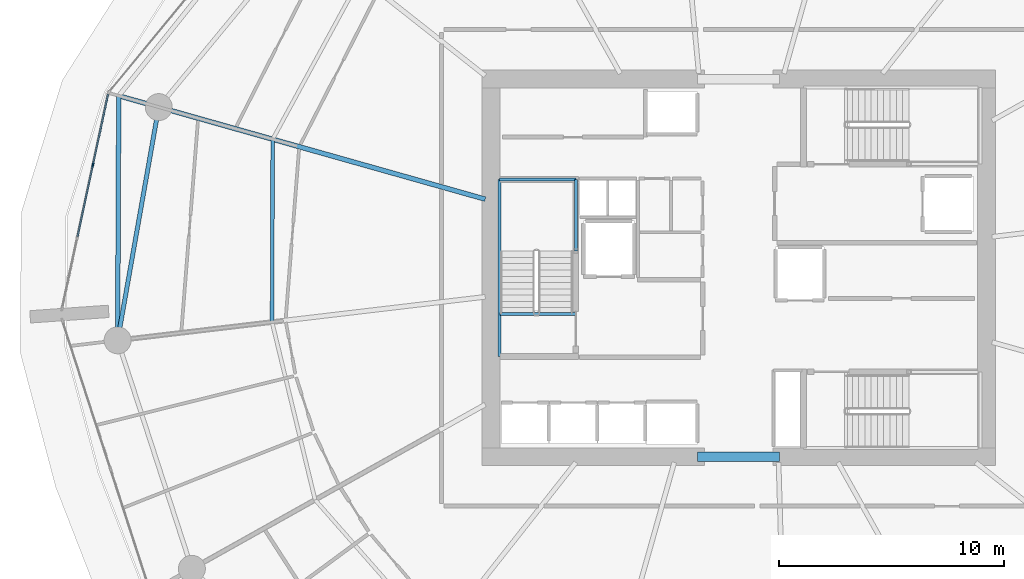
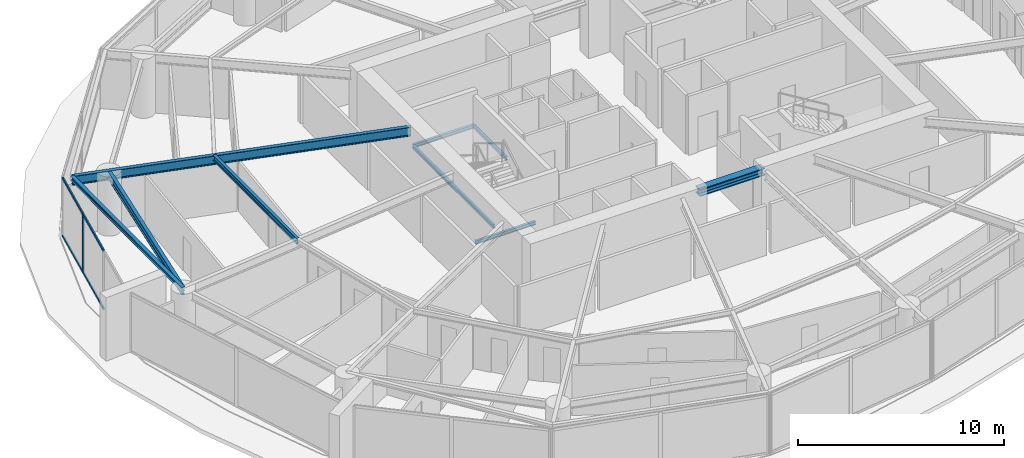
# One storey, part 6 of 17: 9 beams, 5 members, 1 element without a shape of its own.
"""IFC4 building model written with IfcOpenShell, lengths in metres."""

from ifc_helpers import new_model, si_unit, direction, frame, origin, origin_2d, place, context, subcontext, project, spatial, rectangle, i_section, extrude, material, layer, layer_set, material_profile, profile_set, type_object, element, aggregate, save


model = new_model("IFC4")

# Units and contexts
model_context = context("Model", 3, precision=1e-05, world=origin(), true_north=direction((0.0, 1.0)))
body_context = subcontext(model_context, "Body", "Model", "MODEL_VIEW")
ifc_project = project(units=[si_unit("LENGTHUNIT", "METRE"), si_unit("AREAUNIT", "SQUARE_METRE"), si_unit("VOLUMEUNIT", "CUBIC_METRE"), si_unit("PLANEANGLEUNIT", "RADIAN"), si_unit("MASSUNIT", "GRAM", prefix="KILO")], contexts=[model_context])

# Site, building, storey
site_placement = place(None, origin())
site = spatial("IfcSite", under=ifc_project, at=site_placement, CompositionType="ELEMENT")
building_placement = place(site_placement, origin())
building = spatial("IfcBuilding", under=site, at=building_placement, Name="Kazma Halo Residences", CompositionType="ELEMENT")
storey_placement = place(building_placement, frame((0.0, 0.0, 75.14990234375)))
storey = spatial("IfcBuildingStorey", under=building, at=storey_placement, Name="L18", CompositionType="ELEMENT", Elevation=75.14990234375)

# Beams
ifc_material_1 = material(Name="Steel S355", Category="steel")
ifc_material_profile_1 = material_profile(ifc_material_1, i_section(OverallWidth=0.201904296875, OverallDepth=0.2470703125, WebThickness=0.00732421875, FlangeThickness=0.010986328125, FilletRadius=0.011962890625, at=origin_2d()), Name="W250x49.1")
ifc_profile_set_1 = profile_set([ifc_material_profile_1], Name="Steel S355")
beam_type_1 = type_object("IfcBeamType", Name="BM-BAL-CANT", PredefinedType="BEAM", material=ifc_profile_set_1)
beam_1_placement = place(storey_placement, frame((20.8427734375, 49.6591796875, 3.376708984375), z_axis=(-0.004532963616, -0.999989726068, 0.0), x_axis=(0.999989726068, -0.004532963616, 0.0)))
element("IfcBeam", 1, at=beam_1_placement, inside=storey, type_object=beam_type_1, Name="L18 wave-balcony tie beam 07", PredefinedType="BEAM", context=body_context, shape_type="SweptSolid", body=[
    extrude(i_section(OverallWidth=0.201904296875, OverallDepth=0.2470703125, WebThickness=0.00732421875, FlangeThickness=0.010986328125, FilletRadius=0.011962890625, at=origin_2d()), origin(), (0.0, 0.0, 1.0), 10.87939453125),
])
ifc_material_profile_2 = material_profile(ifc_material_1, i_section(OverallWidth=0.408935546875, OverallDepth=0.425048828125, WebThickness=0.03271484375, FlangeThickness=0.052490234375, FilletRadius=0.02001953125, at=origin_2d()), Name="W360x421")
ifc_profile_set_2 = profile_set([ifc_material_profile_2], Name="Steel S355")
beam_type_2 = type_object("IfcBeamType", Name="BM-CORE-W360H", PredefinedType="BEAM", material=ifc_profile_set_2)
beam_2_placement = place(storey_placement, frame((46.60009765625, 33.60009765625, 3.28759765625), z_axis=(1.0, 0.0, 0.0), x_axis=(0.0, 1.0, 0.0)))
element("IfcBeam", 2, at=beam_2_placement, inside=storey, type_object=beam_type_2, Name="L18 core coupling beam S", PredefinedType="BEAM", context=body_context, shape_type="SweptSolid", body=[
    extrude(i_section(OverallWidth=0.408935546875, OverallDepth=0.425048828125, WebThickness=0.03271484375, FlangeThickness=0.052490234375, FilletRadius=0.02001953125, at=origin_2d()), origin(), (0.0, 0.0, 1.0), 3.64990234375),
])
ifc_material_profile_3 = material_profile(ifc_material_1, i_section(OverallWidth=0.208984375, OverallDepth=0.532958984375, WebThickness=0.01025390625, FlangeThickness=0.015625, FilletRadius=0.01611328125, at=origin_2d()), Name="W530x92")
ifc_profile_set_3 = profile_set([ifc_material_profile_3], Name="Steel S355")
beam_type_3 = type_object("IfcBeamType", Name="BM-RAD-W530", PredefinedType="BEAM", material=ifc_profile_set_3)
beam_3_placement = place(storey_placement, frame((37.14990234375, 45.06005859375, 3.233642578125), z_axis=(-0.962454695383, 0.271442368351, 0.0), x_axis=(-0.271442368351, -0.962454695383, 0.0)))
element("IfcBeam", 3, at=beam_3_placement, inside=storey, type_object=beam_type_3, Name="L18 radial floor beam 07", PredefinedType="BEAM", context=body_context, shape_type="SweptSolid", body=[
    extrude(i_section(OverallWidth=0.208984375, OverallDepth=0.532958984375, WebThickness=0.01025390625, FlangeThickness=0.015625, FilletRadius=0.01611328125, at=origin_2d()), origin(), (0.0, 0.0, 1.0), 16.943359375),
])
ifc_material_profile_4 = material_profile(ifc_material_1, i_section(OverallWidth=0.1650390625, OverallDepth=0.31005859375, WebThickness=0.005859375, FlangeThickness=0.009765625, FilletRadius=0.011962890625, at=origin_2d()), Name="W310x38.7")
ifc_profile_set_4 = profile_set([ifc_material_profile_4], Name="Steel S355")
beam_type_4 = type_object("IfcBeamType", Name="BM-SEC-W310B", PredefinedType="JOIST", material=ifc_profile_set_4)
beam_4_placement = place(storey_placement, frame((27.69189453125, 47.7275390625, 3.34521484375), z_axis=(-0.003541500645, -0.999993728867, 0.0), x_axis=(0.999993728867, -0.003541500645, 0.0)))
element("IfcBeam", 4, at=beam_4_placement, inside=storey, type_object=beam_type_4, Name="L18 circumferential floor joist 07", PredefinedType="JOIST", context=body_context, shape_type="SweptSolid", body=[
    extrude(i_section(OverallWidth=0.1650390625, OverallDepth=0.31005859375, WebThickness=0.005859375, FlangeThickness=0.009765625, FilletRadius=0.011962890625, at=origin_2d()), origin(), (0.0, 0.0, 1.0), 8.134521484375),
])
ifc_material_profile_5 = material_profile(ifc_material_1, i_section(OverallWidth=0.18994140625, OverallDepth=0.45703125, WebThickness=0.009033203125, FlangeThickness=0.014404296875, FilletRadius=0.01611328125, at=origin_2d()), Name="W460x74")
ifc_profile_set_5 = profile_set([ifc_material_profile_5], Name="Steel S355")
beam_type_5 = type_object("IfcBeamType", Name="BM-SPN-W460", PredefinedType="BEAM", material=ifc_profile_set_5)
beam_5_placement = place(storey_placement, frame((22.623291015625, 49.156982421875, 3.271484375), z_axis=(-0.173653159051, -0.984806874647, 0.0), x_axis=(0.984806874647, -0.173653159051, 0.0)))
element("IfcBeam", 5, at=beam_5_placement, inside=storey, type_object=beam_type_5, Name="L18 perimeter ring beam 07", PredefinedType="BEAM", context=body_context, shape_type="SweptSolid", body=[
    extrude(i_section(OverallWidth=0.18994140625, OverallDepth=0.45703125, WebThickness=0.009033203125, FlangeThickness=0.014404296875, FilletRadius=0.01611328125, at=origin_2d()), origin(), (0.0, 0.0, 1.0), 10.537353515625),
])
ifc_material_profile_6 = material_profile(ifc_material_1, i_section(OverallWidth=0.133056640625, OverallDepth=0.20703125, WebThickness=0.005859375, FlangeThickness=0.00830078125, FilletRadius=0.010009765625, at=origin_2d()), Name="W200x26.6")
ifc_profile_set_6 = profile_set([ifc_material_profile_6], Name="Steel S355")
beam_type_6 = type_object("IfcBeamType", Name="BM-TRIM-W200", PredefinedType="BEAM", material=ifc_profile_set_6)
beam_6_placement = place(storey_placement, frame((37.800048828125, 39.949951171875, -0.510009765625), z_axis=(1.0, 0.0, 0.0), x_axis=(0.0, 1.0, 0.0)))
element("IfcBeam", 6, at=beam_6_placement, inside=storey, type_object=beam_type_6, Name="L18 ST-01 floor landing support beam", PredefinedType="BEAM", context=body_context, shape_type="SweptSolid", body=[
    extrude(i_section(OverallWidth=0.133056640625, OverallDepth=0.20703125, WebThickness=0.005859375, FlangeThickness=0.00830078125, FilletRadius=0.010009765625, at=origin_2d()), origin(), (0.0, 0.0, 1.0), 3.3798828125),
])
beam_7_placement = place(storey_placement, frame((37.780029296875, 38.06005859375, 1.570068359375), z_axis=(0.0, 1.0, 0.0), x_axis=(-1.0, 0.0, 0.0)))
element("IfcBeam", 7, at=beam_7_placement, inside=storey, type_object=beam_type_6, Name="L18 ST-01 landing west wall ledger", PredefinedType="BEAM", context=body_context, shape_type="SweptSolid", body=[
    extrude(i_section(OverallWidth=0.133056640625, OverallDepth=0.20703125, WebThickness=0.005859375, FlangeThickness=0.00830078125, FilletRadius=0.010009765625, at=origin_2d()), origin(), (0.0, 0.0, 1.0), 7.8798828125),
])
beam_8_placement = place(storey_placement, frame((41.179931640625, 42.75, 1.570068359375), z_axis=(0.0, 1.0, 0.0), x_axis=(-1.0, 0.0, 0.0)))
element("IfcBeam", 8, at=beam_8_placement, inside=storey, type_object=beam_type_6, Name="L18 ST-01 landing east wall ledger", PredefinedType="BEAM", context=body_context, shape_type="SweptSolid", body=[
    extrude(i_section(OverallWidth=0.133056640625, OverallDepth=0.20703125, WebThickness=0.005859375, FlangeThickness=0.00830078125, FilletRadius=0.010009765625, at=origin_2d()), origin(), (0.0, 0.0, 1.0), 3.18994140625),
])
beam_9_placement = place(storey_placement, frame((37.780029296875, 45.93994140625, 1.570068359375), z_axis=(1.0, 0.0, 0.0), x_axis=(0.0, 1.0, 0.0)))
element("IfcBeam", 9, at=beam_9_placement, inside=storey, type_object=beam_type_6, Name="L18 ST-01 landing end wall ledger", PredefinedType="BEAM", context=body_context, shape_type="SweptSolid", body=[
    extrude(i_section(OverallWidth=0.133056640625, OverallDepth=0.20703125, WebThickness=0.005859375, FlangeThickness=0.00830078125, FilletRadius=0.010009765625, at=origin_2d()), origin(), (0.0, 0.0, 1.0), 3.39990234375),
])

# Curtain wall, members
ifc_material_2 = material(Name="Aluminium AW-6063 T6 and Triple-Silver Low-E Glass", Category="aluminium")
ifc_layer = layer(ifc_material_2, 0.199951171875)
ifc_layer_set = layer_set([ifc_layer], Name="Aluminium AW-6063 T6 and Triple-Silver Low-E Glass")
curtain_wall_type = type_object("IfcCurtainWallType", Name="CW-SYS-3", PredefinedType="NOTDEFINED", material=ifc_layer_set)
curtain_wall_placement = place(storey_placement, origin())
curtain_wall = element("IfcCurtainWall", 10, at=curtain_wall_placement, inside=storey, type_object=curtain_wall_type, Name="L18 unitised curtain wall B07", PredefinedType="NOTDEFINED")
ifc_material_3 = material(Name="Aluminium AW-6063 T6", Category="aluminium")
ifc_material_profile_7 = material_profile(ifc_material_3, rectangle(XDim=0.070068359375, YDim=0.199951171875, at=origin_2d()), Name="CWM-70x200")
ifc_profile_set_7 = profile_set([ifc_material_profile_7], Name="Aluminium AW-6063 T6")
member_type_1 = type_object("IfcMemberType", Name="CW-SYS-3-MUL", PredefinedType="MULLION", material=ifc_profile_set_7)
member_1_placement = place(storey_placement, frame((19.69287109375, 46.5791015625, 0.0), z_axis=(0.0, 0.0, 1.0), x_axis=(0.977774176093, -0.209660822677, 0.0)))
member_1 = element("IfcMember", 11, at=member_1_placement, type_object=member_type_1, Name="CWS-3 mullion 2", PredefinedType="MULLION", context=body_context, shape_type="SweptSolid", body=[
    extrude(rectangle(XDim=0.070068359375, YDim=0.199951171875, at=origin_2d()), origin(), (0.0, 0.0, 1.0), 3.5),
])
ifc_material_profile_8 = material_profile(ifc_material_3, rectangle(XDim=0.070068359375, YDim=0.14990234375, at=origin_2d()), Name="CWT-70x150")
ifc_profile_set_8 = profile_set([ifc_material_profile_8], Name="Aluminium AW-6063 T6")
member_type_2 = type_object("IfcMemberType", Name="CW-SYS-3-TRN", PredefinedType="USERDEFINED", material=ifc_profile_set_8)
member_2_placement = place(storey_placement, frame((20.36669921875, 49.720947265625, 0.03515625), z_axis=(-0.209702197956, -0.977765303216, 0.0), x_axis=(0.977765303216, -0.209702197956, 0.0)))
member_2 = element("IfcMember", 12, at=member_2_placement, type_object=member_type_2, Name="CWS-3 transom 1.1", ObjectType="TRANSOM", PredefinedType="USERDEFINED", context=body_context, shape_type="SweptSolid", body=[
    extrude(rectangle(XDim=0.070068359375, YDim=0.14990234375, at=origin_2d()), origin(), (0.0, 0.0, 1.0), 3.17822265625),
])
member_3_placement = place(storey_placement, frame((20.36669921875, 49.720947265625, 3.465087890625), z_axis=(-0.209702197956, -0.977765303216, 0.0), x_axis=(0.977765303216, -0.209702197956, 0.0)))
member_3 = element("IfcMember", 13, at=member_3_placement, type_object=member_type_2, Name="CWS-3 transom 1.2", ObjectType="TRANSOM", PredefinedType="USERDEFINED", context=body_context, shape_type="SweptSolid", body=[
    extrude(rectangle(XDim=0.070068359375, YDim=0.14990234375, at=origin_2d()), origin(), (0.0, 0.0, 1.0), 3.17822265625),
])
member_4_placement = place(storey_placement, frame((19.685546875, 46.544921875, 0.03515625), z_axis=(-0.209627675811, -0.977781283076, 0.0), x_axis=(0.977781283076, -0.209627675811, 0.0)))
member_4 = element("IfcMember", 14, at=member_4_placement, type_object=member_type_2, Name="CWS-3 transom 2.1", ObjectType="TRANSOM", PredefinedType="USERDEFINED", context=body_context, shape_type="SweptSolid", body=[
    extrude(rectangle(XDim=0.070068359375, YDim=0.14990234375, at=origin_2d()), origin(), (0.0, 0.0, 1.0), 3.213134765625),
])
member_5_placement = place(storey_placement, frame((19.685546875, 46.544921875, 3.465087890625), z_axis=(-0.209627675811, -0.977781283076, 0.0), x_axis=(0.977781283076, -0.209627675811, 0.0)))
member_5 = element("IfcMember", 15, at=member_5_placement, type_object=member_type_2, Name="CWS-3 transom 2.2", ObjectType="TRANSOM", PredefinedType="USERDEFINED", context=body_context, shape_type="SweptSolid", body=[
    extrude(rectangle(XDim=0.070068359375, YDim=0.14990234375, at=origin_2d()), origin(), (0.0, 0.0, 1.0), 3.213134765625),
])
aggregate(curtain_wall, [member_1, member_2, member_3, member_4, member_5])

save(model, "model.ifc")
